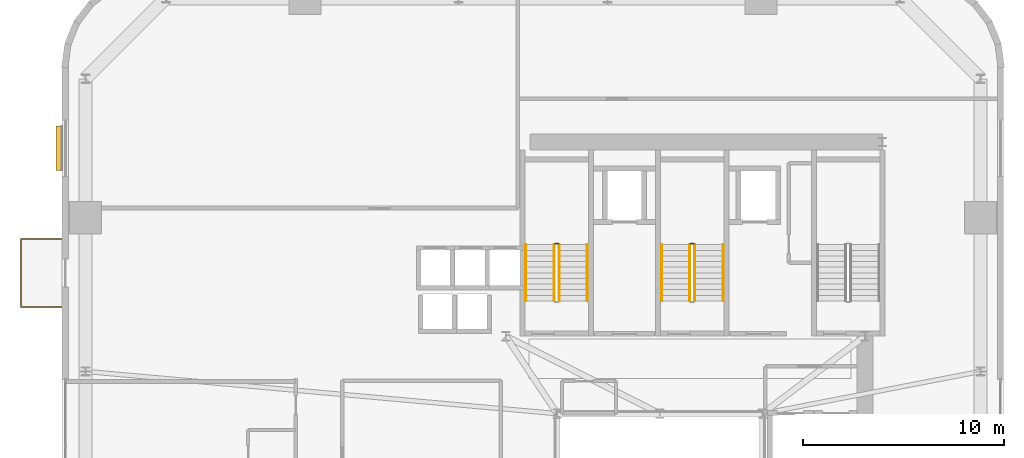
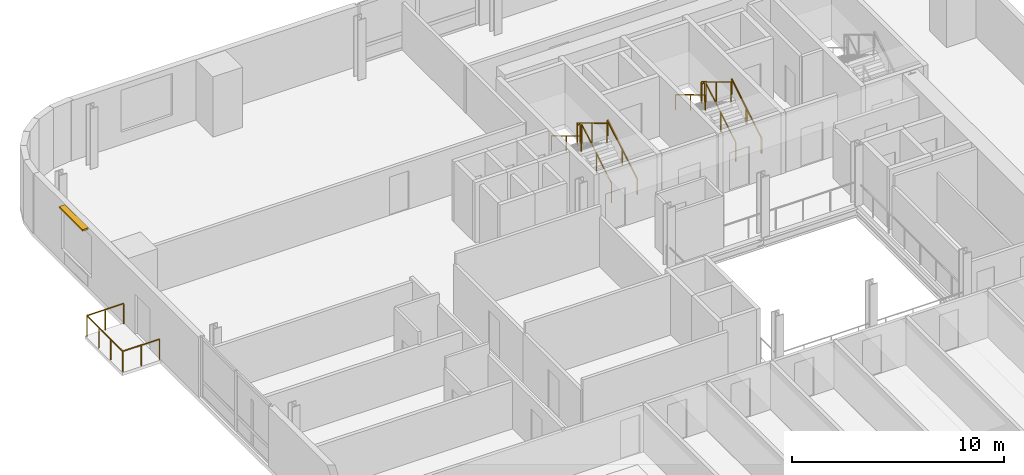
# One storey, part 13 of 14: 11 railings, 1 shading device.
"""IFC4 building model written with IfcOpenShell, lengths in metres."""

from ifc_helpers import new_model, si_unit, direction, frame, origin, origin_2d, place, context, subcontext, project, spatial, rectangle, extrude, source, transform, mapped, material, layer, layer_set, type_object, element, save


model = new_model("IFC4")

# Units and contexts
model_context = context("Model", 3, precision=1e-05, world=origin(), true_north=direction((0.0, 1.0)))
body_context = subcontext(model_context, "Body", "Model", "MODEL_VIEW")
ifc_project = project(units=[si_unit("LENGTHUNIT", "METRE"), si_unit("AREAUNIT", "SQUARE_METRE"), si_unit("VOLUMEUNIT", "CUBIC_METRE"), si_unit("PLANEANGLEUNIT", "RADIAN"), si_unit("MASSUNIT", "GRAM", prefix="KILO")], contexts=[model_context])

# Site, building, storey
site_placement = place(None, origin())
site = spatial("IfcSite", under=ifc_project, at=site_placement, CompositionType="ELEMENT")
building_placement = place(site_placement, origin())
building = spatial("IfcBuilding", under=site, at=building_placement, Name="Vardaveli Station Tower", CompositionType="ELEMENT")
storey_placement = place(building_placement, frame((0.0, 0.0, 133.5)))
storey = spatial("IfcBuildingStorey", under=building, at=storey_placement, Name="L34", CompositionType="ELEMENT", Elevation=133.5)

# Shading device
ifc_material_1 = material(Name="Anodised champagne aluminium sunshade", Category="aluminium")
ifc_layer = layer(ifc_material_1, 0.090087890625, Name="Anodised champagne aluminium sunshade")
ifc_layer_set = layer_set([ifc_layer], Name="Anodised champagne aluminium sunshade")
shading_device_type = type_object("IfcShadingDeviceType", Name="SHD-SUNSHADE", PredefinedType="USERDEFINED", material=ifc_layer_set)
shared_shape_1 = source(origin(), body_context, "Body", "SweptSolid", [
    extrude(rectangle(XDim=2.199951171875, YDim=0.320068359375, at=origin_2d()), origin(), (0.0, 0.0, 1.0), 0.090087890625),
])
shading_device_placement = place(storey_placement, frame((6.455078125, 39.9951171875, 3.33984375), z_axis=(0.0, 0.0, 1.0), x_axis=(0.0, 1.0, 0.0)))
element("IfcShadingDevice", 1, at=shading_device_placement, inside=storey, type_object=shading_device_type, Name="SHD-SS-L34-W", ObjectType="SUNSHADE", PredefinedType="USERDEFINED", context=body_context, shape_type="MappedRepresentation", body=[
    mapped(shared_shape_1, transform((0.0, 0.0, 0.0), scale=1.0)),
])

# Railings
ifc_material_2 = material(Name="Laminated glass and stainless steel balustrade", Category="steel")
railing_type_1 = type_object("IfcRailingType", Name="RL-BAL-1200", PredefinedType="BALUSTRADE", material=ifc_material_2)
shared_shape_2 = source(origin(), body_context, "Body", "SweptSolid", [
    extrude(rectangle(XDim=0.048095703125, YDim=0.048095703125, at=origin_2d()), frame((0.0, 0.0, 1.17578125), z_axis=(-1.0, 0.0, 0.0), x_axis=(0.0, -1.0, 0.0)), (0.0, 0.0, 1.0), 2.0),
    extrude(rectangle(XDim=0.048095703125, YDim=0.048095703125, at=origin_2d()), frame((-2.0, 0.0, 1.17578125), z_axis=(0.0, 1.0, 0.0), x_axis=(-1.0, 0.0, 0.0)), (0.0, 0.0, 1.0), 3.3798828125),
    extrude(rectangle(XDim=0.048095703125, YDim=0.048095703125, at=origin_2d()), frame((-2.0, 3.3798828125, 1.17578125), z_axis=(1.0, 0.0, 0.0), x_axis=(0.0, 1.0, 0.0)), (0.0, 0.0, 1.0), 2.0),
    extrude(rectangle(XDim=0.0419921875, YDim=0.0419921875, at=origin_2d()), origin(), (0.0, 0.0, 1.0), 1.15185546875),
    extrude(rectangle(XDim=0.0419921875, YDim=0.0419921875, at=origin_2d()), frame((-1.0, 0.0, 0.0)), (0.0, 0.0, 1.0), 1.15185546875),
    extrude(rectangle(XDim=0.0419921875, YDim=0.0419921875, at=origin_2d()), frame((-2.0, 0.0, 0.0)), (0.0, 0.0, 1.0), 1.15185546875),
    extrude(rectangle(XDim=0.0419921875, YDim=0.0419921875, at=origin_2d()), frame((-2.0, 1.126708984375, 0.0)), (0.0, 0.0, 1.0), 1.15185546875),
    extrude(rectangle(XDim=0.0419921875, YDim=0.0419921875, at=origin_2d()), frame((-2.0, 2.253173828125, 0.0)), (0.0, 0.0, 1.0), 1.15185546875),
    extrude(rectangle(XDim=0.0419921875, YDim=0.0419921875, at=origin_2d()), frame((-2.0, 3.3798828125, 0.0)), (0.0, 0.0, 1.0), 1.15185546875),
    extrude(rectangle(XDim=0.0419921875, YDim=0.0419921875, at=origin_2d()), frame((-1.0, 3.3798828125, 0.0)), (0.0, 0.0, 1.0), 1.15185546875),
    extrude(rectangle(XDim=0.0419921875, YDim=0.0419921875, at=origin_2d()), frame((0.0, 3.3798828125, 0.0)), (0.0, 0.0, 1.0), 1.15185546875),
])
railing_placement = place(storey_placement, frame((6.56005859375, 32.099609375, 0.0)))
element("IfcRailing", 2, at=railing_placement, inside=storey, type_object=railing_type_1, Name="RL-LOG-L34-03", PredefinedType="BALUSTRADE", context=body_context, shape_type="MappedRepresentation", body=[
    mapped(shared_shape_2, transform((0.0, 0.0, 0.0), scale=1.0)),
])
ifc_material_3 = material(Name="Brushed AISI 316 stainless steel", Category="steel")
railing_type_2 = type_object("IfcRailingType", Name="RL-GUARD-1150", PredefinedType="GUARDRAIL", material=ifc_material_3)
shared_shape_3 = source(origin(), body_context, "Body", "SweptSolid", [
    extrude(rectangle(XDim=0.048095703125, YDim=0.048095703125, at=origin_2d()), frame((0.0, 0.0, 1.1259765625), z_axis=(-1.0, 0.0, 0.0), x_axis=(0.0, -1.0, 0.0)), (0.0, 0.0, 1.0), 0.14990234375),
    extrude(rectangle(XDim=0.0419921875, YDim=0.0419921875, at=origin_2d()), origin(), (0.0, 0.0, 1.0), 1.101806640625),
    extrude(rectangle(XDim=0.0419921875, YDim=0.0419921875, at=origin_2d()), frame((-0.14990234375, 0.0, 0.0)), (0.0, 0.0, 1.0), 1.101806640625),
])
for number, where, name in (
    (3, (31.25, 35.25, 1.85009765625), "L34 ST-1 stair guard 2"),
    (4, (38.0, 35.25, 1.85009765625), "L34 ST-2 stair guard 2"),
):
    element("IfcRailing", number, at=place(storey_placement, frame(where)), inside=storey, type_object=railing_type_2, Name=name, PredefinedType="GUARDRAIL", context=body_context, shape_type="MappedRepresentation", body=[
        mapped(shared_shape_3, transform((0.0, 0.0, 0.0), scale=1.0)),
    ])
shared_shape_4 = source(origin(), body_context, "Body", "SweptSolid", [
    extrude(rectangle(XDim=0.048095703125, YDim=0.048095703125, at=origin_2d()), frame((0.0, 0.0, 1.1259765625), z_axis=(0.0, -0.857242210791, 0.514913383045), x_axis=(1.0, 0.0, 0.0)), (0.0, 0.0, 1.0), 3.266357421875),
    extrude(rectangle(XDim=0.0419921875, YDim=0.0419921875, at=origin_2d()), origin(), (0.0, 0.0, 1.0), 1.101806640625),
    extrude(rectangle(XDim=0.0419921875, YDim=0.0419921875, at=origin_2d()), frame((0.0, -1.39990234375, 0.8408203125)), (0.0, 0.0, 1.0), 1.101806640625),
    extrude(rectangle(XDim=0.0419921875, YDim=0.0419921875, at=origin_2d()), frame((0.0, -2.800048828125, 1.681884765625)), (0.0, 0.0, 1.0), 1.101806640625),
])
for number, where, name in (
    (5, (31.050048828125, 35.199951171875, 2.01806640625), "L34 ST-1 stair guard 3"),
    (6, (37.800048828125, 35.199951171875, 2.01806640625), "L34 ST-2 stair guard 3"),
):
    element("IfcRailing", number, at=place(storey_placement, frame(where)), inside=storey, type_object=railing_type_2, Name=name, PredefinedType="GUARDRAIL", context=body_context, shape_type="MappedRepresentation", body=[
        mapped(shared_shape_4, transform((0.0, 0.0, 0.0), scale=1.0)),
    ])
railing_type_3 = type_object("IfcRailingType", Name="RL-HAND-900", PredefinedType="HANDRAIL", material=ifc_material_3)
shared_shape_5 = source(origin(), body_context, "Body", "SweptSolid", [
    extrude(rectangle(XDim=0.048095703125, YDim=0.048095703125, at=origin_2d()), frame((0.0, 0.0, 0.8759765625), z_axis=(0.0, -0.857242210791, 0.514913383045), x_axis=(1.0, 0.0, 0.0)), (0.0, 0.0, 1.0), 3.266357421875),
    extrude(rectangle(XDim=0.0419921875, YDim=0.0419921875, at=origin_2d()), origin(), (0.0, 0.0, 1.0), 0.851806640625),
    extrude(rectangle(XDim=0.0419921875, YDim=0.0419921875, at=origin_2d()), frame((0.0, -1.39990234375, 0.8408203125)), (0.0, 0.0, 1.0), 0.851806640625),
    extrude(rectangle(XDim=0.0419921875, YDim=0.0419921875, at=origin_2d()), frame((0.0, -2.800048828125, 1.681884765625)), (0.0, 0.0, 1.0), 0.851806640625),
])
for number, where, name in (
    (7, (29.64990234375, 35.199951171875, 2.01806640625), "L34 ST-1 stair handrail 2"),
    (8, (36.39990234375, 35.199951171875, 2.01806640625), "L34 ST-2 stair handrail 2"),
):
    element("IfcRailing", number, at=place(storey_placement, frame(where)), inside=storey, type_object=railing_type_3, Name=name, PredefinedType="HANDRAIL", context=body_context, shape_type="MappedRepresentation", body=[
        mapped(shared_shape_5, transform((0.0, 0.0, 0.0), scale=1.0)),
    ])
shared_shape_6 = source(origin(), body_context, "Body", "SweptSolid", [
    extrude(rectangle(XDim=0.048095703125, YDim=0.048095703125, at=origin_2d()), frame((0.0, 0.0, 1.1259765625), z_axis=(0.0, 0.857242210791, 0.514913383045), x_axis=(-1.0, 0.0, 0.0)), (0.0, 0.0, 1.0), 3.266357421875),
    extrude(rectangle(XDim=0.0419921875, YDim=0.0419921875, at=origin_2d()), origin(), (0.0, 0.0, 1.0), 1.101806640625),
    extrude(rectangle(XDim=0.0419921875, YDim=0.0419921875, at=origin_2d()), frame((0.0, 1.39990234375, 0.8408203125)), (0.0, 0.0, 1.0), 1.101806640625),
    extrude(rectangle(XDim=0.0419921875, YDim=0.0419921875, at=origin_2d()), frame((0.0, 2.800048828125, 1.681884765625)), (0.0, 0.0, 1.0), 1.101806640625),
])
for number, where, name in (
    (9, (31.300048828125, 32.39990234375, 0.168212890625), "L34 ST-1 stair guard 1"),
    (10, (38.050048828125, 32.39990234375, 0.168212890625), "L34 ST-2 stair guard 1"),
):
    element("IfcRailing", number, at=place(storey_placement, frame(where)), inside=storey, type_object=railing_type_2, Name=name, PredefinedType="GUARDRAIL", context=body_context, shape_type="MappedRepresentation", body=[
        mapped(shared_shape_6, transform((0.0, 0.0, 0.0), scale=1.0)),
    ])
shared_shape_7 = source(origin(), body_context, "Body", "SweptSolid", [
    extrude(rectangle(XDim=0.048095703125, YDim=0.048095703125, at=origin_2d()), frame((0.0, 0.0, 0.8759765625), z_axis=(0.0, 0.857242210791, 0.514913383045), x_axis=(-1.0, 0.0, 0.0)), (0.0, 0.0, 1.0), 3.266357421875),
    extrude(rectangle(XDim=0.0419921875, YDim=0.0419921875, at=origin_2d()), origin(), (0.0, 0.0, 1.0), 0.851806640625),
    extrude(rectangle(XDim=0.0419921875, YDim=0.0419921875, at=origin_2d()), frame((0.0, 1.39990234375, 0.8408203125)), (0.0, 0.0, 1.0), 0.851806640625),
    extrude(rectangle(XDim=0.0419921875, YDim=0.0419921875, at=origin_2d()), frame((0.0, 2.800048828125, 1.681884765625)), (0.0, 0.0, 1.0), 0.851806640625),
])
for number, where, name in (
    (11, (32.699951171875, 32.39990234375, 0.168212890625), "L34 ST-1 stair handrail 1"),
    (12, (39.449951171875, 32.39990234375, 0.168212890625), "L34 ST-2 stair handrail 1"),
):
    element("IfcRailing", number, at=place(storey_placement, frame(where)), inside=storey, type_object=railing_type_3, Name=name, PredefinedType="HANDRAIL", context=body_context, shape_type="MappedRepresentation", body=[
        mapped(shared_shape_7, transform((0.0, 0.0, 0.0), scale=1.0)),
    ])

save(model, "model.ifc")
